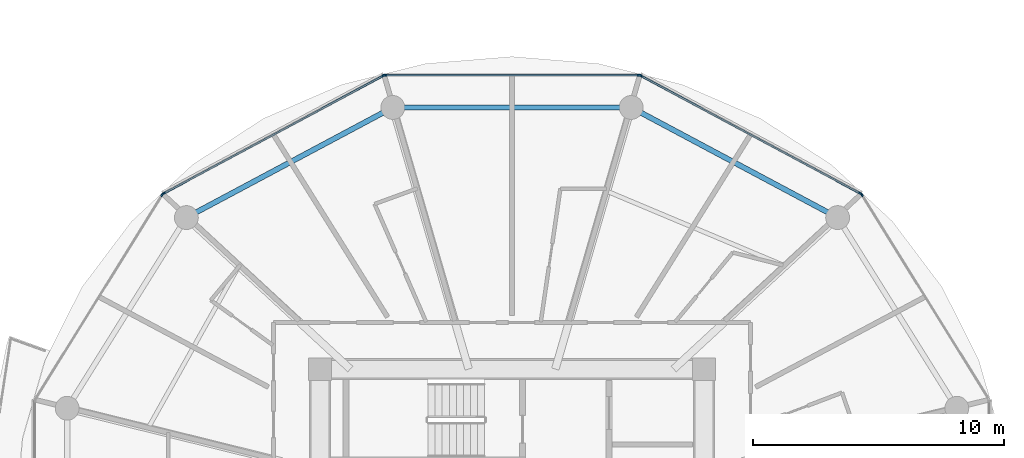
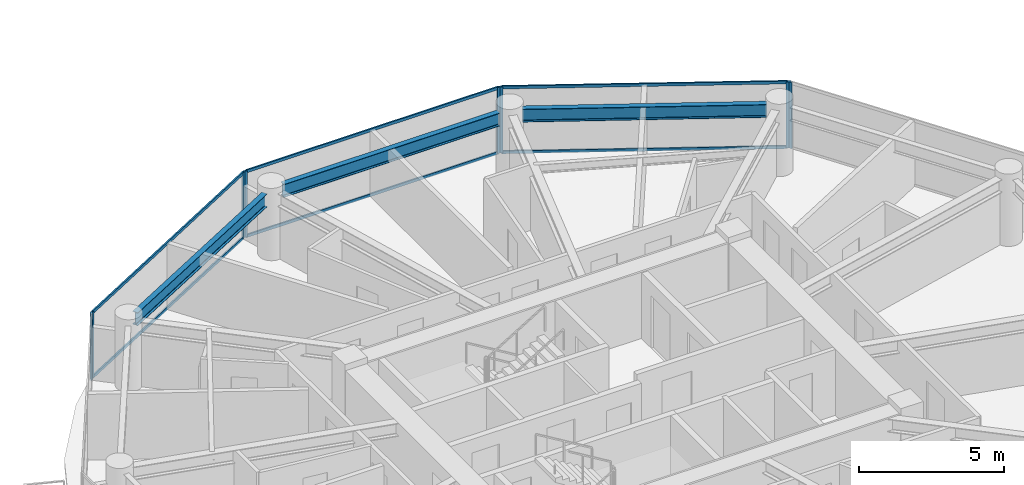
# One storey, part 9 of 27: 14 members, 3 beams, 5 elements without a shape of their own.
"""IFC4 building model written with IfcOpenShell, lengths in metres."""

from ifc_helpers import new_model, si_unit, direction, frame, origin, origin_2d, place, context, subcontext, project, spatial, rectangle, i_section, extrude, source, transform, mapped, material, layer, layer_set, material_profile, profile_set, type_object, type_shapes, element, aggregate, save


model = new_model("IFC4")

# Units and contexts
model_context = context("Model", 3, precision=1e-05, world=origin(), true_north=direction((0.0, 1.0)))
body_context = subcontext(model_context, "Body", "Model", "MODEL_VIEW")
ifc_project = project(units=[si_unit("LENGTHUNIT", "METRE"), si_unit("AREAUNIT", "SQUARE_METRE"), si_unit("VOLUMEUNIT", "CUBIC_METRE"), si_unit("PLANEANGLEUNIT", "RADIAN"), si_unit("MASSUNIT", "GRAM", prefix="KILO")], contexts=[model_context])

# Site, building, storey
site_placement = place(None, origin())
site = spatial("IfcSite", under=ifc_project, at=site_placement, CompositionType="ELEMENT")
building_placement = place(site_placement, origin())
building = spatial("IfcBuilding", under=site, at=building_placement, Name="Norrkilde Senior Care Towers", CompositionType="ELEMENT")
storey_placement = place(building_placement, frame((0.0, 0.0, 46.0)))
storey = spatial("IfcBuildingStorey", under=building, at=storey_placement, Name="L13", CompositionType="ELEMENT", Elevation=46.0)

# Beams
ifc_material_1 = material(Name="Steel S355", Category="steel")
ifc_material_profile_1 = material_profile(ifc_material_1, i_section(OverallWidth=0.2099609375, OverallDepth=0.550048828125, WebThickness=0.010986328125, FlangeThickness=0.01708984375, FilletRadius=0.02392578125, at=origin_2d()), Name="IPE 550")
ifc_profile_set_1 = profile_set([ifc_material_profile_1], Name="Steel S355")
beam_type = type_object("IfcBeamType", Name="Perimeter Ring Spandrel Z1 IPE550", PredefinedType="SPANDREL", material=ifc_profile_set_1)
shared_shape_1 = source(origin(), body_context, "Body", "SweptSolid", [
    extrude(i_section(OverallWidth=0.2099609375, OverallDepth=0.550048828125, WebThickness=0.010986328125, FlangeThickness=0.01708984375, FilletRadius=0.02392578125, at=origin_2d()), origin(), (0.0, 0.0, 1.0), 8.452880859375),
])
for number, where, z_axis, x_axis, name in (
    (1, (-15.408447265625, 12.190185546875, 2.514892578125), (-0.882368931134, 0.470558252898, 0.0), (-0.470558252898, -0.882368931134, 0.0), "L13 Drum W Perimeter Spandrel 02"),
    (2, (-33.133056640625, 16.167724609375, 2.514892578125), (-0.882368931134, -0.470558252898, 0.0), (0.470558252898, -0.882368931134, 0.0), "L13 Drum W Perimeter Spandrel 04"),
):
    element("IfcBeam", number, at=place(storey_placement, frame(where, z_axis=z_axis, x_axis=x_axis)), inside=storey, type_object=beam_type, Name=name, PredefinedType="SPANDREL", context=body_context, shape_type="MappedRepresentation", body=[
        mapped(shared_shape_1, transform((0.0, 0.0, 0.0), x_axis=(1.0, 0.0, 0.0), y_axis=(0.0, 1.0, 0.0), z_axis=(0.0, 0.0, 1.0), scale=1.0)),
    ])
shared_shape_2 = source(origin(), body_context, "Body", "SweptSolid", [
    extrude(i_section(OverallWidth=0.2099609375, OverallDepth=0.550048828125, WebThickness=0.010986328125, FlangeThickness=0.01708984375, FilletRadius=0.02392578125, at=origin_2d()), origin(), (0.0, 0.0, 1.0), 8.62841796875),
])
type_shapes(beam_type, [shared_shape_1, shared_shape_2])
beam_placement = place(storey_placement, frame((-23.685791015625, 16.37255859375, 2.514892578125), z_axis=(-1.0, 0.0, 0.0), x_axis=(0.0, -1.0, 0.0)))
element("IfcBeam", 3, at=beam_placement, inside=storey, type_object=beam_type, Name="L13 Drum W Perimeter Spandrel 03", PredefinedType="SPANDREL", context=body_context, shape_type="MappedRepresentation", body=[
    mapped(shared_shape_2, transform((0.0, 0.0, 0.0), x_axis=(1.0, 0.0, 0.0), y_axis=(0.0, 1.0, 0.0), z_axis=(0.0, 0.0, 1.0), scale=1.0)),
])

# Curtain wall, member
ifc_material_2 = material(Name="Triple Low-E Insulated Glazing", Category="glass")
ifc_layer = layer(ifc_material_2, 0.199951171875)
ifc_layer_set = layer_set([ifc_layer], Name="Triple Low-E Insulated Glazing")
curtain_wall_type = type_object("IfcCurtainWallType", Name="CW2 Zone 1 Memory Care Curtain Wall", PredefinedType="NOTDEFINED", material=ifc_layer_set)
curtain_wall_1_placement = place(storey_placement, origin())
curtain_wall_1 = element("IfcCurtainWall", 4, at=curtain_wall_1_placement, inside=storey, type_object=curtain_wall_type, Name="L13 Drum W Curtain Wall 00", PredefinedType="NOTDEFINED")
ifc_material_3 = material(Name="Anodised Aluminium", Category="aluminium")
ifc_material_profile_2 = material_profile(ifc_material_3, rectangle(XDim=0.06494140625, YDim=0.159912109375, at=origin_2d()), Name="ALU MULL 65x160")
ifc_profile_set_2 = profile_set([ifc_material_profile_2], Name="Anodised Aluminium")
member_type_1 = type_object("IfcMemberType", Name="Curtain Wall Mullion Z1-Z2 65x160", PredefinedType="MULLION", material=ifc_profile_set_2)
shared_shape_3 = source(origin(), body_context, "Body", "SweptSolid", [
    extrude(rectangle(XDim=0.06494140625, YDim=0.159912109375, at=origin_2d()), origin(), (0.0, 0.0, 1.0), 2.7900390625),
])
type_shapes(member_type_1, [shared_shape_3])
member_1_placement = place(storey_placement, frame((-14.06689453125, 12.898193359375, 0.0), z_axis=(0.0, 0.0, 1.0), x_axis=(0.849305943117, 0.527900951871, 0.0)))
member_1 = element("IfcMember", 5, at=member_1_placement, type_object=member_type_1, Name="CW-2 mullion 1", PredefinedType="MULLION", context=body_context, shape_type="MappedRepresentation", body=[
    mapped(shared_shape_3, transform((0.0, 0.0, 0.0), x_axis=(1.0, 0.0, 0.0), y_axis=(0.0, 1.0, 0.0), z_axis=(0.0, 0.0, 1.0), scale=1.0)),
])
aggregate(curtain_wall_1, [member_1])

# Curtain wall, members
curtain_wall_2_placement = place(storey_placement, origin())
curtain_wall_2 = element("IfcCurtainWall", 6, at=curtain_wall_2_placement, inside=storey, type_object=curtain_wall_type, Name="L13 Drum W Curtain Wall 01", PredefinedType="NOTDEFINED")
member_2_placement = place(storey_placement, frame((-22.877685546875, 17.641845703125, 0.0), z_axis=(0.0, 0.0, 1.0), x_axis=(0.472607802456, 0.881272866403, 0.0)))
member_2 = element("IfcMember", 7, at=member_2_placement, type_object=member_type_1, Name="CW-2 mullion 1", PredefinedType="MULLION", context=body_context, shape_type="MappedRepresentation", body=[
    mapped(shared_shape_3, transform((0.0, 0.0, 0.0), x_axis=(1.0, 0.0, 0.0), y_axis=(0.0, 1.0, 0.0), z_axis=(0.0, 0.0, 1.0), scale=1.0)),
])
member_3_placement = place(storey_placement, frame((-14.11279296875, 12.941162109375, 0.0), z_axis=(0.0, 0.0, 1.0), x_axis=(0.472607802456, 0.881272866403, 0.0)))
member_3 = element("IfcMember", 8, at=member_3_placement, type_object=member_type_1, Name="CW-2 mullion 2", PredefinedType="MULLION", context=body_context, shape_type="MappedRepresentation", body=[
    mapped(shared_shape_3, transform((0.0, 0.0, 0.0), x_axis=(1.0, 0.0, 0.0), y_axis=(0.0, 1.0, 0.0), z_axis=(0.0, 0.0, 1.0), scale=1.0)),
])

curtain_wall_3_placement = place(storey_placement, origin())
curtain_wall_3 = element("IfcCurtainWall", 9, at=curtain_wall_3_placement, inside=storey, type_object=curtain_wall_type, Name="L13 Drum W Curtain Wall 02", PredefinedType="NOTDEFINED")
member_4_placement = place(storey_placement, frame((-33.06103515625, 17.6572265625, 0.0), z_axis=(0.0, 0.0, 1.0), x_axis=(0.0, 1.0, 0.0)))
member_4 = element("IfcMember", 10, at=member_4_placement, type_object=member_type_1, Name="CW-2 mullion 1", PredefinedType="MULLION", context=body_context, shape_type="MappedRepresentation", body=[
    mapped(shared_shape_3, transform((0.0, 0.0, 0.0), x_axis=(1.0, 0.0, 0.0), y_axis=(0.0, 1.0, 0.0), z_axis=(0.0, 0.0, 1.0), scale=1.0)),
])
member_5_placement = place(storey_placement, frame((-22.93896484375, 17.6572265625, 0.0), z_axis=(0.0, 0.0, 1.0), x_axis=(0.0, 1.0, 0.0)))
member_5 = element("IfcMember", 11, at=member_5_placement, type_object=member_type_1, Name="CW-2 mullion 2", PredefinedType="MULLION", context=body_context, shape_type="MappedRepresentation", body=[
    mapped(shared_shape_3, transform((0.0, 0.0, 0.0), x_axis=(1.0, 0.0, 0.0), y_axis=(0.0, 1.0, 0.0), z_axis=(0.0, 0.0, 1.0), scale=1.0)),
])

curtain_wall_4_placement = place(storey_placement, origin())
curtain_wall_4 = element("IfcCurtainWall", 12, at=curtain_wall_4_placement, inside=storey, type_object=curtain_wall_type, Name="L13 Drum W Curtain Wall 03", PredefinedType="NOTDEFINED")
member_6_placement = place(storey_placement, frame((-41.88720703125, 12.941162109375, 0.0), z_axis=(0.0, 0.0, 1.0), x_axis=(-0.472607802456, 0.881272866403, 0.0)))
member_6 = element("IfcMember", 13, at=member_6_placement, type_object=member_type_1, Name="CW-2 mullion 1", PredefinedType="MULLION", context=body_context, shape_type="MappedRepresentation", body=[
    mapped(shared_shape_3, transform((0.0, 0.0, 0.0), x_axis=(1.0, 0.0, 0.0), y_axis=(0.0, 1.0, 0.0), z_axis=(0.0, 0.0, 1.0), scale=1.0)),
])
member_7_placement = place(storey_placement, frame((-33.122314453125, 17.641845703125, 0.0), z_axis=(0.0, 0.0, 1.0), x_axis=(-0.472607802456, 0.881272866403, 0.0)))
member_7 = element("IfcMember", 14, at=member_7_placement, type_object=member_type_1, Name="CW-2 mullion 2", PredefinedType="MULLION", context=body_context, shape_type="MappedRepresentation", body=[
    mapped(shared_shape_3, transform((0.0, 0.0, 0.0), x_axis=(1.0, 0.0, 0.0), y_axis=(0.0, 1.0, 0.0), z_axis=(0.0, 0.0, 1.0), scale=1.0)),
])

# Curtain wall, member
curtain_wall_5_placement = place(storey_placement, origin())
curtain_wall_5 = element("IfcCurtainWall", 15, at=curtain_wall_5_placement, inside=storey, type_object=curtain_wall_type, Name="L13 Drum W Curtain Wall 04", PredefinedType="NOTDEFINED")
member_8_placement = place(storey_placement, frame((-41.93310546875, 12.898193359375, 0.0), z_axis=(0.0, 0.0, 1.0), x_axis=(-0.849305943117, 0.527900951871, 0.0)))
member_8 = element("IfcMember", 16, at=member_8_placement, type_object=member_type_1, Name="CW-2 mullion 2", PredefinedType="MULLION", context=body_context, shape_type="MappedRepresentation", body=[
    mapped(shared_shape_3, transform((0.0, 0.0, 0.0), x_axis=(1.0, 0.0, 0.0), y_axis=(0.0, 1.0, 0.0), z_axis=(0.0, 0.0, 1.0), scale=1.0)),
])
aggregate(curtain_wall_5, [member_8])

# Member
ifc_material_profile_3 = material_profile(ifc_material_3, rectangle(XDim=0.06005859375, YDim=0.1201171875, at=origin_2d()), Name="ALU TRAN 60x120")
ifc_profile_set_3 = profile_set([ifc_material_profile_3], Name="Anodised Aluminium")
member_type_2 = type_object("IfcMemberType", Name="Curtain Wall Transom Typical 60x120", PredefinedType="USERDEFINED", material=ifc_profile_set_3)
shared_shape_4 = source(origin(), body_context, "Body", "SweptSolid", [
    extrude(rectangle(XDim=0.06005859375, YDim=0.1201171875, at=origin_2d()), origin(), (0.0, 0.0, 1.0), 9.880859375),
])
member_9_placement = place(storey_placement, frame((-22.84912109375, 17.62646484375, 0.030029296875), z_axis=(0.881267204043, -0.47261836092, 0.0), x_axis=(0.47261836092, 0.881267204043, 0.0)))
member_9 = element("IfcMember", 17, at=member_9_placement, type_object=member_type_2, Name="CW-2 transom 1.1", ObjectType="TRANSOM", PredefinedType="USERDEFINED", context=body_context, shape_type="MappedRepresentation", body=[
    mapped(shared_shape_4, transform((0.0, 0.0, 0.0), x_axis=(1.0, 0.0, 0.0), y_axis=(0.0, 1.0, 0.0), z_axis=(0.0, 0.0, 1.0), scale=1.0)),
])

member_10_placement = place(storey_placement, frame((-22.84912109375, 17.62646484375, 2.760009765625), z_axis=(0.881267204043, -0.47261836092, 0.0), x_axis=(0.47261836092, 0.881267204043, 0.0)))
member_10 = element("IfcMember", 18, at=member_10_placement, type_object=member_type_2, Name="CW-2 transom 1.2", ObjectType="TRANSOM", PredefinedType="USERDEFINED", context=body_context, shape_type="MappedRepresentation", body=[
    mapped(shared_shape_4, transform((0.0, 0.0, 0.0), x_axis=(1.0, 0.0, 0.0), y_axis=(0.0, 1.0, 0.0), z_axis=(0.0, 0.0, 1.0), scale=1.0)),
])

aggregate(curtain_wall_2, [member_2, member_3, member_9, member_10])

member_11_placement = place(storey_placement, frame((-41.858642578125, 12.95654296875, 0.030029296875), z_axis=(0.881267204043, 0.47261836092, 0.0), x_axis=(-0.47261836092, 0.881267204043, 0.0)))
member_11 = element("IfcMember", 19, at=member_11_placement, type_object=member_type_2, Name="CW-2 transom 1.1", ObjectType="TRANSOM", PredefinedType="USERDEFINED", context=body_context, shape_type="MappedRepresentation", body=[
    mapped(shared_shape_4, transform((0.0, 0.0, 0.0), x_axis=(1.0, 0.0, 0.0), y_axis=(0.0, 1.0, 0.0), z_axis=(0.0, 0.0, 1.0), scale=1.0)),
])

member_12_placement = place(storey_placement, frame((-41.858642578125, 12.95654296875, 2.760009765625), z_axis=(0.881267204043, 0.47261836092, 0.0), x_axis=(-0.47261836092, 0.881267204043, 0.0)))
member_12 = element("IfcMember", 20, at=member_12_placement, type_object=member_type_2, Name="CW-2 transom 1.2", ObjectType="TRANSOM", PredefinedType="USERDEFINED", context=body_context, shape_type="MappedRepresentation", body=[
    mapped(shared_shape_4, transform((0.0, 0.0, 0.0), x_axis=(1.0, 0.0, 0.0), y_axis=(0.0, 1.0, 0.0), z_axis=(0.0, 0.0, 1.0), scale=1.0)),
])

aggregate(curtain_wall_4, [member_6, member_7, member_11, member_12])

shared_shape_5 = source(origin(), body_context, "Body", "SweptSolid", [
    extrude(rectangle(XDim=0.06005859375, YDim=0.1201171875, at=origin_2d()), origin(), (0.0, 0.0, 1.0), 10.05712890625),
])
type_shapes(member_type_2, [shared_shape_4, shared_shape_5])
member_13_placement = place(storey_placement, frame((-33.028564453125, 17.6572265625, 0.030029296875), z_axis=(1.0, 0.0, 0.0), x_axis=(0.0, 1.0, 0.0)))
member_13 = element("IfcMember", 21, at=member_13_placement, type_object=member_type_2, Name="CW-2 transom 1.1", ObjectType="TRANSOM", PredefinedType="USERDEFINED", context=body_context, shape_type="MappedRepresentation", body=[
    mapped(shared_shape_5, transform((0.0, 0.0, 0.0), x_axis=(1.0, 0.0, 0.0), y_axis=(0.0, 1.0, 0.0), z_axis=(0.0, 0.0, 1.0), scale=1.0)),
])

member_14_placement = place(storey_placement, frame((-33.028564453125, 17.6572265625, 2.760009765625), z_axis=(1.0, 0.0, 0.0), x_axis=(0.0, 1.0, 0.0)))
member_14 = element("IfcMember", 22, at=member_14_placement, type_object=member_type_2, Name="CW-2 transom 1.2", ObjectType="TRANSOM", PredefinedType="USERDEFINED", context=body_context, shape_type="MappedRepresentation", body=[
    mapped(shared_shape_5, transform((0.0, 0.0, 0.0), x_axis=(1.0, 0.0, 0.0), y_axis=(0.0, 1.0, 0.0), z_axis=(0.0, 0.0, 1.0), scale=1.0)),
])

aggregate(curtain_wall_3, [member_4, member_5, member_13, member_14])

save(model, "model.ifc")
